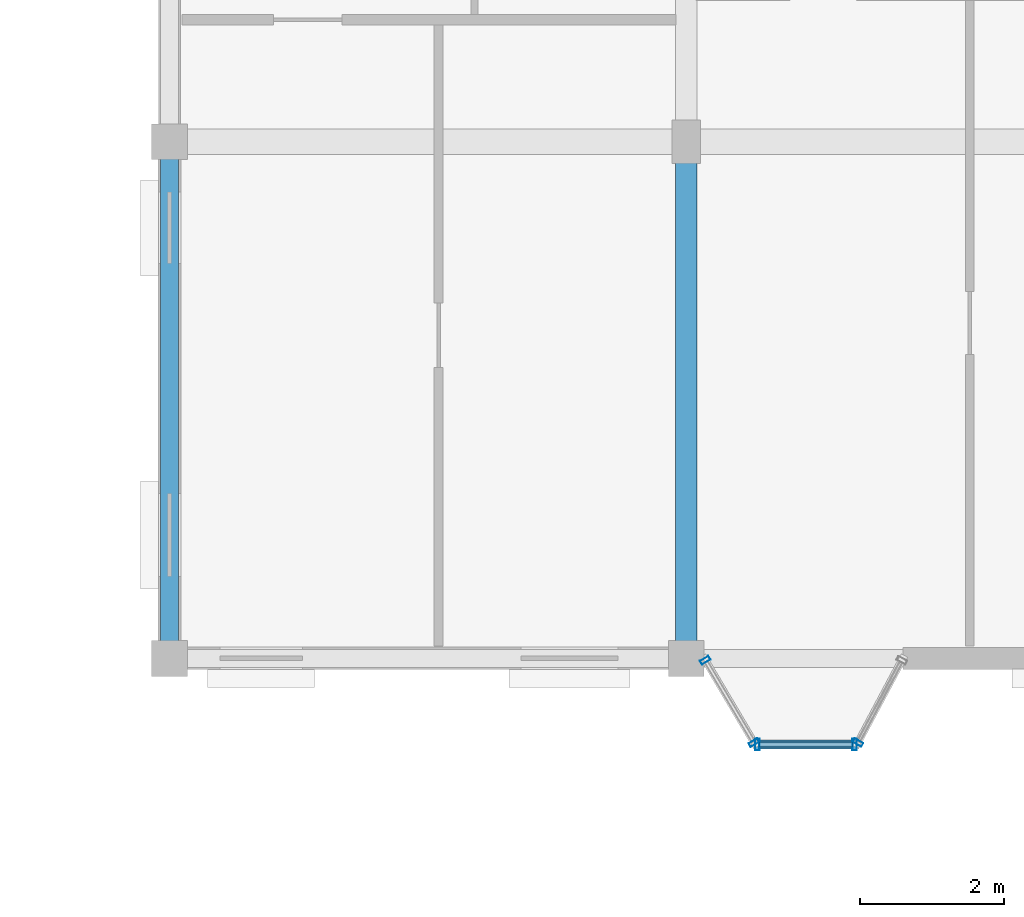
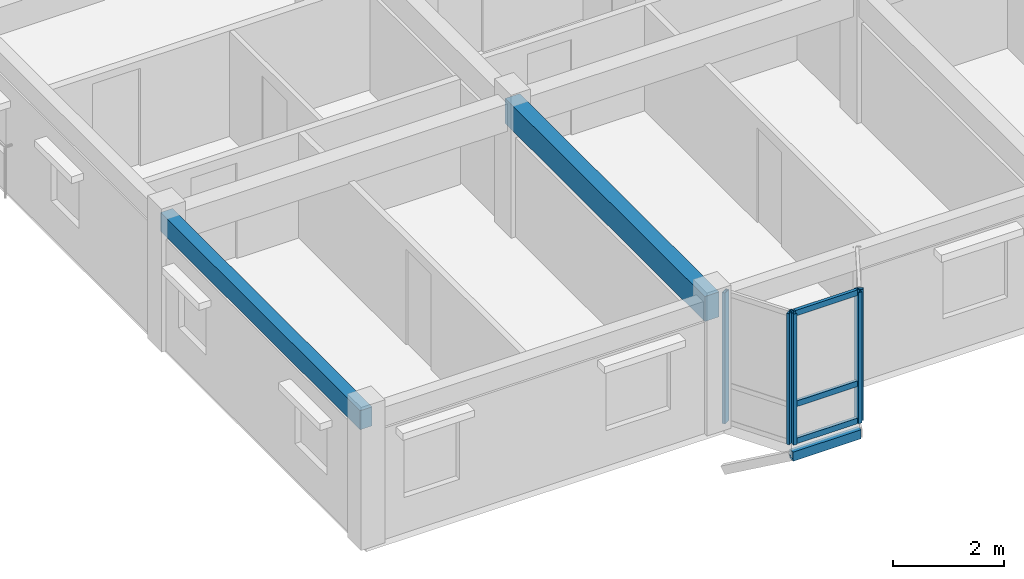
# One storey, part 22 of 64: 9 members, 2 beams, 3 elements without a shape of their own.
"""IFC4 building model written with IfcOpenShell, lengths in metres."""

from ifc_helpers import new_model, si_unit, direction, frame, origin, origin_2d, place, context, subcontext, project, spatial, rectangle, hollow_rectangle, extrude, material, layer, layer_set, material_profile, profile_set, type_object, element, aggregate, save


model = new_model("IFC4")

# Units and contexts
model_context = context("Model", 3, precision=1e-05, world=origin(), true_north=direction((0.0, 1.0)))
body_context = subcontext(model_context, "Body", "Model", "MODEL_VIEW")
ifc_project = project(units=[si_unit("LENGTHUNIT", "METRE"), si_unit("AREAUNIT", "SQUARE_METRE"), si_unit("VOLUMEUNIT", "CUBIC_METRE"), si_unit("PLANEANGLEUNIT", "RADIAN"), si_unit("MASSUNIT", "GRAM", prefix="KILO"), si_unit("THERMODYNAMICTEMPERATUREUNIT", "KELVIN"), si_unit("POWERUNIT", "WATT")], contexts=[model_context])

# Site, building, storey
site_placement = place(None, origin())
site = spatial("IfcSite", under=ifc_project, at=site_placement, CompositionType="ELEMENT")
building_placement = place(site_placement, origin())
building = spatial("IfcBuilding", under=site, at=building_placement, Name="Tavuni Mirador Residences", CompositionType="ELEMENT")
storey_placement = place(building_placement, frame((0.0, 0.0, 26.550048828125)))
storey = spatial("IfcBuildingStorey", under=building, at=storey_placement, Name="L08", CompositionType="ELEMENT", Elevation=26.550048828125)

# Beams
ifc_material_1 = material(Name="Precast concrete C40/50", Category="concrete")
ifc_material_profile_1 = material_profile(ifc_material_1, rectangle(XDim=0.300048828125, YDim=0.550048828125, at=origin_2d()), Name="PC 300x550", Category="concrete")
ifc_profile_set_1 = profile_set([ifc_material_profile_1], Name="Precast concrete C40/50")
beam_type_1 = type_object("IfcBeamType", Name="BT-B550", PredefinedType="BEAM", material=ifc_profile_set_1)
beam_1_placement = place(storey_placement, frame((18.0, 144.0, 2.60986328125), z_axis=(0.0, 1.0, 0.0), x_axis=(-1.0, 0.0, 0.0)))
element("IfcBeam", 1, at=beam_1_placement, inside=storey, type_object=beam_type_1, Name="BMY-BLK-C-L08-01-00", PredefinedType="BEAM", context=body_context, shape_type="SweptSolid", body=[
    extrude(rectangle(XDim=0.300048828125, YDim=0.550048828125, at=origin_2d()), origin(), (0.0, 0.0, 1.0), 7.199951171875),
])
ifc_material_profile_2 = material_profile(ifc_material_1, rectangle(XDim=0.25, YDim=0.419921875, at=origin_2d()), Name="PC 250x420", Category="concrete")
ifc_profile_set_2 = profile_set([ifc_material_profile_2], Name="Precast concrete C40/50")
beam_type_2 = type_object("IfcBeamType", Name="BT-SP420", PredefinedType="SPANDREL", material=ifc_profile_set_2)
beam_2_placement = place(storey_placement, frame((10.800048828125, 144.0, 2.675048828125), z_axis=(0.0, 1.0, 0.0), x_axis=(-1.0, 0.0, 0.0)))
element("IfcBeam", 2, at=beam_2_placement, inside=storey, type_object=beam_type_2, Name="BMY-BLK-C-L08-00-00", PredefinedType="SPANDREL", context=body_context, shape_type="SweptSolid", body=[
    extrude(rectangle(XDim=0.25, YDim=0.419921875, at=origin_2d()), origin(), (0.0, 0.0, 1.0), 7.199951171875),
])

# Curtain wall, members
ifc_material_2 = material(Name="Anodised aluminium", Category="aluminium")
ifc_layer_1 = layer(ifc_material_2, 0.175048828125, Name="Anodised aluminium", Category="aluminium")
ifc_layer_set_1 = layer_set([ifc_layer_1], Name="Anodised aluminium")
curtain_wall_type_1 = type_object("IfcCurtainWallType", Name="CWT-MIR-C", PredefinedType="NOTDEFINED", material=ifc_layer_set_1)
curtain_wall_1_placement = place(storey_placement, origin())
curtain_wall_1 = element("IfcCurtainWall", 3, at=curtain_wall_1_placement, inside=storey, type_object=curtain_wall_type_1, Name="CW-MIR-C-S1-L08-M1", PredefinedType="NOTDEFINED")
ifc_material_profile_3 = material_profile(ifc_material_2, hollow_rectangle(XDim=0.06005859375, YDim=0.139892578125, WallThickness=0.00390625, at=origin_2d()), Name="ALU 60x140x4.0", Category="aluminium")
ifc_profile_set_3 = profile_set([ifc_material_profile_3], Name="Anodised aluminium")
member_type_1 = type_object("IfcMemberType", Name="CWM-140", PredefinedType="MULLION", material=ifc_profile_set_3)
member_1_placement = place(storey_placement, frame((18.265380859375, 143.97412109375, 0.0), z_axis=(0.0, 0.0, 1.0), x_axis=(0.509212491254, -0.860640830284, 0.0)))
member_1 = element("IfcMember", 4, at=member_1_placement, type_object=member_type_1, Name="CW-03 mullion 1", PredefinedType="MULLION", context=body_context, shape_type="SweptSolid", body=[
    extrude(hollow_rectangle(XDim=0.06005859375, YDim=0.139892578125, WallThickness=0.00390625, at=origin_2d()), origin(), (0.0, 0.0, 1.0), 2.885009765625),
])
member_2_placement = place(storey_placement, frame((18.94482421875, 142.825927734375, 0.0), z_axis=(0.0, 0.0, 1.0), x_axis=(0.509212491254, -0.860640830284, 0.0)))
member_2 = element("IfcMember", 5, at=member_2_placement, type_object=member_type_1, Name="CW-03 mullion 2", PredefinedType="MULLION", context=body_context, shape_type="SweptSolid", body=[
    extrude(hollow_rectangle(XDim=0.06005859375, YDim=0.139892578125, WallThickness=0.00390625, at=origin_2d()), origin(), (0.0, 0.0, 1.0), 2.885009765625),
])
aggregate(curtain_wall_1, [member_1, member_2])

# Curtain wall, member
ifc_layer_2 = layer(ifc_material_2, 0.1650390625, Name="Anodised aluminium", Category="aluminium")
ifc_layer_set_2 = layer_set([ifc_layer_2], Name="Anodised aluminium")
curtain_wall_type_2 = type_object("IfcCurtainWallType", Name="CWT-MIR-A", PredefinedType="NOTDEFINED", material=ifc_layer_set_2)
curtain_wall_2_placement = place(storey_placement, origin())
curtain_wall_2 = element("IfcCurtainWall", 6, at=curtain_wall_2_placement, inside=storey, type_object=curtain_wall_type_2, Name="CW-MIR-C-S1-L08-M2", PredefinedType="NOTDEFINED")
member_3_placement = place(storey_placement, frame((20.39404296875, 142.826416015625, 0.0), z_axis=(0.0, 0.0, 1.0), x_axis=(0.470588235296, 0.882352941175, 0.0)))
member_3 = element("IfcMember", 7, at=member_3_placement, type_object=member_type_1, Name="CW-01 mullion 1", PredefinedType="MULLION", context=body_context, shape_type="SweptSolid", body=[
    extrude(hollow_rectangle(XDim=0.06005859375, YDim=0.139892578125, WallThickness=0.00390625, at=origin_2d()), origin(), (0.0, 0.0, 1.0), 2.885009765625),
])
aggregate(curtain_wall_2, [member_3])

# Curtain wall, members
ifc_layer_3 = layer(ifc_material_2, 0.159912109375, Name="Anodised aluminium", Category="aluminium")
ifc_layer_set_3 = layer_set([ifc_layer_3], Name="Anodised aluminium")
curtain_wall_type_3 = type_object("IfcCurtainWallType", Name="CWT-MIR-D", PredefinedType="NOTDEFINED", material=ifc_layer_set_3)
curtain_wall_3_placement = place(storey_placement, origin())
curtain_wall_3 = element("IfcCurtainWall", 8, at=curtain_wall_3_placement, inside=storey, type_object=curtain_wall_type_3, Name="CW-MIR-C-S1-L08-MF", PredefinedType="NOTDEFINED")
ifc_material_profile_4 = material_profile(ifc_material_2, hollow_rectangle(XDim=0.06494140625, YDim=0.1650390625, WallThickness=0.00439453125, at=origin_2d()), Name="ALU 65x165x4.5", Category="aluminium")
ifc_profile_set_4 = profile_set([ifc_material_profile_4], Name="Anodised aluminium")
member_type_2 = type_object("IfcMemberType", Name="CWM-165", PredefinedType="MULLION", material=ifc_profile_set_4)
member_4_placement = place(storey_placement, frame((18.992431640625, 142.800048828125, 0.0), z_axis=(0.0, 0.0, 1.0), x_axis=(1.0, 0.0, 0.0)))
member_4 = element("IfcMember", 9, at=member_4_placement, type_object=member_type_2, Name="CW-04 mullion 1", PredefinedType="MULLION", context=body_context, shape_type="SweptSolid", body=[
    extrude(hollow_rectangle(XDim=0.06494140625, YDim=0.1650390625, WallThickness=0.00439453125, at=origin_2d()), origin(), (0.0, 0.0, 1.0), 2.885009765625),
])
member_5_placement = place(storey_placement, frame((20.347412109375, 142.800048828125, 0.0), z_axis=(0.0, 0.0, 1.0), x_axis=(1.0, 0.0, 0.0)))
member_5 = element("IfcMember", 10, at=member_5_placement, type_object=member_type_2, Name="CW-04 mullion 2", PredefinedType="MULLION", context=body_context, shape_type="SweptSolid", body=[
    extrude(hollow_rectangle(XDim=0.06494140625, YDim=0.1650390625, WallThickness=0.00439453125, at=origin_2d()), origin(), (0.0, 0.0, 1.0), 2.885009765625),
])
ifc_material_profile_5 = material_profile(ifc_material_2, hollow_rectangle(XDim=0.06494140625, YDim=0.125, WallThickness=0.00439453125, at=origin_2d()), Name="ALU 65x125x4.5", Category="aluminium")
ifc_profile_set_5 = profile_set([ifc_material_profile_5], Name="Anodised aluminium")
member_type_3 = type_object("IfcMemberType", Name="CWT-125", PredefinedType="USERDEFINED", material=ifc_profile_set_5)
member_6_placement = place(storey_placement, frame((19.02490234375, 142.800048828125, 0.032470703125), z_axis=(1.0, 0.0, 0.0), x_axis=(0.0, 1.0, 0.0)))
member_6 = element("IfcMember", 11, at=member_6_placement, type_object=member_type_3, Name="CW-04 transom 1.1", ObjectType="TRANSOM", PredefinedType="USERDEFINED", context=body_context, shape_type="SweptSolid", body=[
    extrude(hollow_rectangle(XDim=0.06494140625, YDim=0.125, WallThickness=0.00439453125, at=origin_2d()), origin(), (0.0, 0.0, 1.0), 1.2900390625),
])
member_7_placement = place(storey_placement, frame((19.02490234375, 142.800048828125, 0.849853515625), z_axis=(1.0, 0.0, 0.0), x_axis=(0.0, 1.0, 0.0)))
member_7 = element("IfcMember", 12, at=member_7_placement, type_object=member_type_3, Name="CW-04 transom 1.2", ObjectType="TRANSOM", PredefinedType="USERDEFINED", context=body_context, shape_type="SweptSolid", body=[
    extrude(hollow_rectangle(XDim=0.06494140625, YDim=0.125, WallThickness=0.00439453125, at=origin_2d()), origin(), (0.0, 0.0, 1.0), 1.2900390625),
])
member_8_placement = place(storey_placement, frame((19.02490234375, 142.800048828125, 2.8525390625), z_axis=(1.0, 0.0, 0.0), x_axis=(0.0, 1.0, 0.0)))
member_8 = element("IfcMember", 13, at=member_8_placement, type_object=member_type_3, Name="CW-04 transom 1.3", ObjectType="TRANSOM", PredefinedType="USERDEFINED", context=body_context, shape_type="SweptSolid", body=[
    extrude(hollow_rectangle(XDim=0.06494140625, YDim=0.125, WallThickness=0.00439453125, at=origin_2d()), origin(), (0.0, 0.0, 1.0), 1.2900390625),
])
aggregate(curtain_wall_3, [member_4, member_5, member_6, member_7, member_8])

# Member
ifc_material_3 = material(Name="Structural steel S355", Category="steel")
ifc_material_profile_6 = material_profile(ifc_material_3, hollow_rectangle(XDim=0.1201171875, YDim=0.199951171875, WallThickness=0.010009765625, at=origin_2d()), Name="RHS 200x120x10.0", Category="steel")
ifc_profile_set_6 = profile_set([ifc_material_profile_6], Name="Structural steel S355")
member_type_4 = type_object("IfcMemberType", Name="MT-ST-RHS200", PredefinedType="STRUT", material=ifc_profile_set_6)
member_9_placement = place(storey_placement, frame((18.9599609375, 142.800048828125, -0.26513671875), z_axis=(1.0, 0.0, 0.0), x_axis=(0.0, 1.0, 0.0)))
element("IfcMember", 14, at=member_9_placement, inside=storey, type_object=member_type_4, Name="MRIM-MIR-C-S1-L08", PredefinedType="STRUT", context=body_context, shape_type="SweptSolid", body=[
    extrude(hollow_rectangle(XDim=0.1201171875, YDim=0.199951171875, WallThickness=0.010009765625, at=origin_2d()), origin(), (0.0, 0.0, 1.0), 1.419921875),
])

save(model, "model.ifc")
